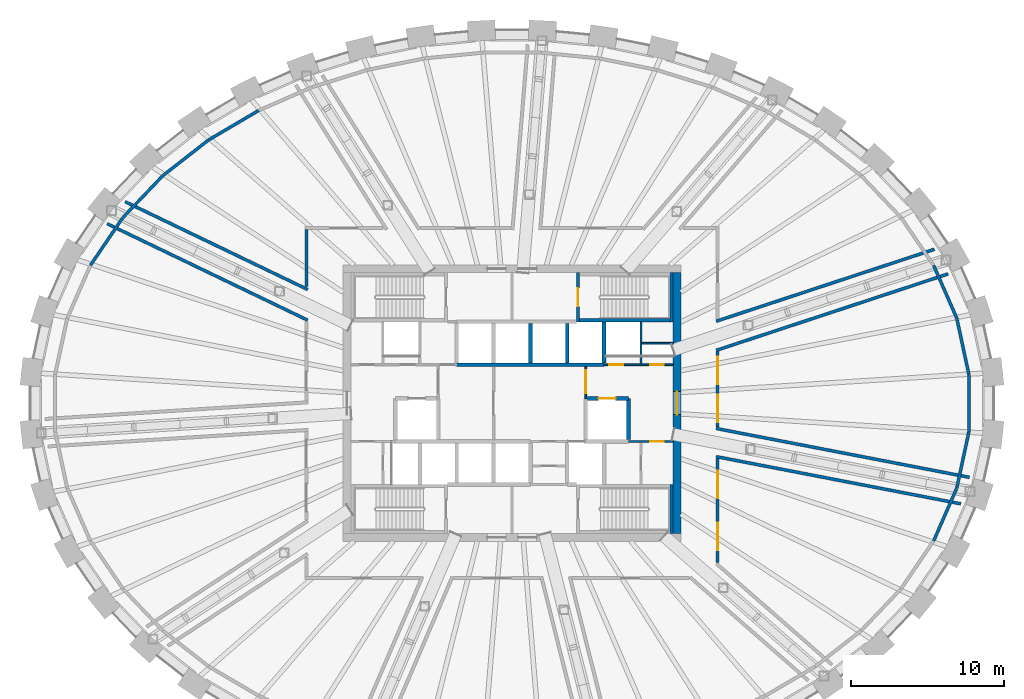
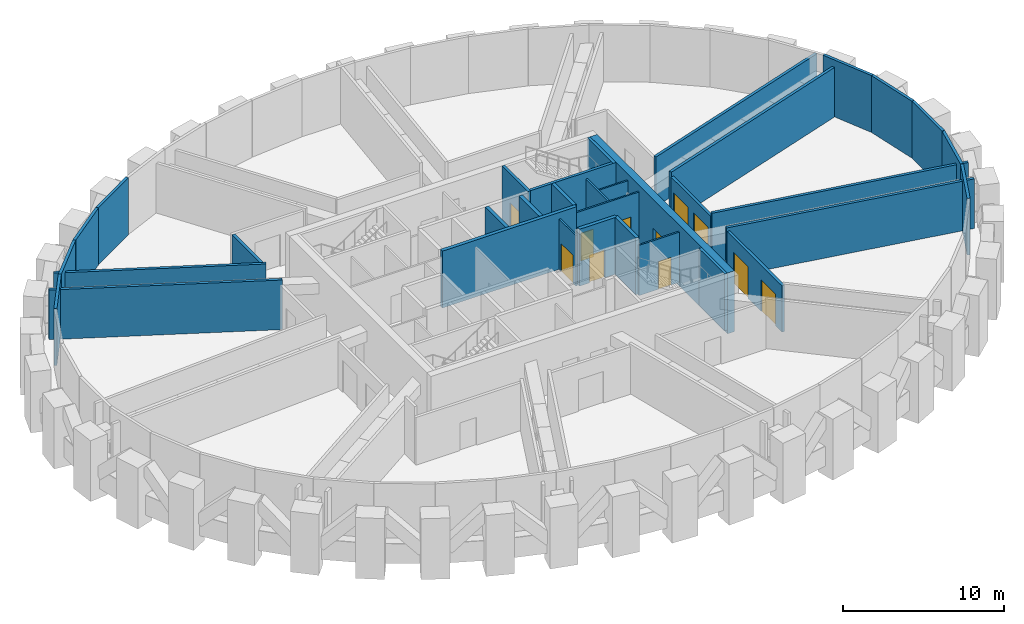
# One storey, part 9 of 12: 34 walls, 11 doors, 11 openings.
"""IFC4 building model written with IfcOpenShell, lengths in metres."""

import ifcopenshell
import ifcopenshell.guid

model = None  # the IFC model being written
_history = None  # IfcOwnerHistory: only IFC2X3 demands one
_inside = {}  # id of a spatial element -> (the spatial element, [elements in it])
_under = {}  # id of a project, library or spatial element -> (it, [spatial elements below it])
_declared = {}  # id of a project -> (the project, [libraries it declares])
_typed = {}  # id of a type object -> (the type object, [elements of that type])
_made_of = {}  # id of a material, layer set ... -> (it, [elements and type objects made of it])


def new_model(schema):
    """Start an empty IFC model of exactly this schema.

    Asked for "IFC4X3", IfcOpenShell would pick the latest addendum, in which some entities
    have other attributes; the version numbers below select the first issue.
    IFC2X3 requires an IfcOwnerHistory on every rooted entity: one is made here for all.
    """
    global model, _history
    if schema == "IFC4X3":
        model = ifcopenshell.file(schema_version=(4, 3, 0, 0))
    else:
        model = ifcopenshell.file(schema=schema)
    _inside.clear()
    _under.clear()
    _declared.clear()
    _typed.clear()
    _made_of.clear()
    _history = None
    if model.schema == "IFC2X3":
        org = make("IfcOrganization", Name="unknown")
        user = make(
            "IfcPersonAndOrganization",
            ThePerson=make("IfcPerson", FamilyName="unknown"),
            TheOrganization=org,
        )
        app = make(
            "IfcApplication",
            ApplicationDeveloper=org,
            Version="unknown",
            ApplicationFullName="unknown",
            ApplicationIdentifier="unknown",
        )
        _history = make(
            "IfcOwnerHistory",
            OwningUser=user,
            OwningApplication=app,
            ChangeAction="ADDED",
            CreationDate=0,
        )
    return model


def make(cls, **values):
    """One entity of the class cls with the attributes given. An attribute that is None is left unset."""
    return model.create_entity(
        cls, **{name: value for name, value in values.items() if value is not None}
    )


def rooted(cls, **values):
    """An entity with a GlobalId (a new one), such as an element, a storey or a relation."""
    return make(cls, GlobalId=ifcopenshell.guid.new(), OwnerHistory=_history, **values)


def si_unit(unit_type, name, prefix=None):
    """IfcSIUnit, for example si_unit("LENGTHUNIT", "METRE", prefix="MILLI")."""
    return make("IfcSIUnit", UnitType=unit_type, Prefix=prefix, Name=name)


def assignment(units):
    """IfcUnitAssignment: the units of a project."""
    return None if units is None else make("IfcUnitAssignment", Units=units)


def point(xyz):
    """IfcCartesianPoint."""
    return None if xyz is None else make("IfcCartesianPoint", Coordinates=xyz)


def direction(xyz):
    """IfcDirection."""
    return None if xyz is None else make("IfcDirection", DirectionRatios=xyz)


def frame(location, z_axis=None, x_axis=None):
    """IfcAxis2Placement3D, a coordinate frame: its origin and axes. An axis left out is left unset."""
    return make(
        "IfcAxis2Placement3D",
        Location=point(location),
        Axis=direction(z_axis),
        RefDirection=direction(x_axis),
    )


def frame_2d(location, x_axis=None):
    """IfcAxis2Placement2D, a coordinate frame in the plane: its origin and x axis."""
    return make(
        "IfcAxis2Placement2D", Location=point(location), RefDirection=direction(x_axis)
    )


def origin():
    """The frame at (0, 0, 0) with its axes left unset."""
    return frame((0.0, 0.0, 0.0))


def place(relative_to, where):
    """IfcLocalPlacement: puts the frame where relative to a parent placement (None: the world)."""
    return make(
        "IfcLocalPlacement", PlacementRelTo=relative_to, RelativePlacement=where
    )


def context(
    kind, dimensions, precision=None, world=None, true_north=None, identifier=None
):
    """IfcGeometricRepresentationContext, for example the 3D "Model" context."""
    return make(
        "IfcGeometricRepresentationContext",
        ContextIdentifier=identifier,
        ContextType=kind,
        CoordinateSpaceDimension=dimensions,
        Precision=precision,
        WorldCoordinateSystem=world,
        TrueNorth=true_north,
    )


def subcontext(parent, identifier, kind, view, scale=None):
    """IfcGeometricRepresentationSubContext, for example "Body" below "Model"."""
    return make(
        "IfcGeometricRepresentationSubContext",
        ContextIdentifier=identifier,
        ContextType=kind,
        ParentContext=parent,
        TargetScale=scale,
        TargetView=view,
    )


def project(units=None, contexts=None):
    """IfcProject with its units and contexts."""
    return rooted(
        "IfcProject",
        Name="project",
        RepresentationContexts=contexts,
        UnitsInContext=assignment(units),
    )


def spatial(cls, under=None, at=None, **own):
    """A site, building, storey or space (cls), placed at a placement, below another one or the project."""
    s = rooted(cls, ObjectPlacement=at, **own)
    if under is not None:
        _under.setdefault(under.id(), (under, []))[1].append(s)
    return s


def profile(cls, at=None, kind="AREA", **sizes):
    """A parametric profile (cls). Its sizes go by their IFC names, for example OverallWidth=200.0."""
    return make(cls, ProfileType=kind, Position=at, **sizes)


def rectangle(**sizes):
    """IfcRectangleProfileDef."""
    return profile("IfcRectangleProfileDef", **sizes)


def extrude(swept, where, along, depth):
    """IfcExtrudedAreaSolid: the profile swept, set in the frame where, extruded along a direction by depth."""
    return make(
        "IfcExtrudedAreaSolid",
        SweptArea=swept,
        Position=where,
        ExtrudedDirection=direction(along),
        Depth=depth,
    )


def shape(context_of_items, identifier, shape_type, items):
    """IfcShapeRepresentation: the items that make up one representation, for example the "Body"."""
    return make(
        "IfcShapeRepresentation",
        ContextOfItems=context_of_items,
        RepresentationIdentifier=identifier,
        RepresentationType=shape_type,
        Items=items,
    )


def source(mapping_origin, context_of_items, identifier, shape_type, items):
    """IfcRepresentationMap: a shape defined once, which mapped items show again and again."""
    return make(
        "IfcRepresentationMap",
        MappingOrigin=mapping_origin,
        MappedRepresentation=shape(context_of_items, identifier, shape_type, items),
    )


def transform(
    local_origin,
    x_axis=None,
    y_axis=None,
    z_axis=None,
    scale=None,
    scale2=None,
    scale3=None,
    uniform=True,
):
    """IfcCartesianTransformationOperator3D, or its non-uniform kind. x_axis, y_axis, z_axis: its Axis1, 2, 3."""
    if uniform:
        return make(
            "IfcCartesianTransformationOperator3D",
            Axis1=direction(x_axis),
            Axis2=direction(y_axis),
            LocalOrigin=point(local_origin),
            Scale=scale,
            Axis3=direction(z_axis),
        )
    return make(
        "IfcCartesianTransformationOperator3DnonUniform",
        Axis1=direction(x_axis),
        Axis2=direction(y_axis),
        LocalOrigin=point(local_origin),
        Scale=scale,
        Axis3=direction(z_axis),
        Scale2=scale2,
        Scale3=scale3,
    )


def mapped(mapping_source, mapping_target):
    """IfcMappedItem: shows the shape of a source again, moved by a transform."""
    return make(
        "IfcMappedItem", MappingSource=mapping_source, MappingTarget=mapping_target
    )


def material(Name=None, Category=None):
    """IfcMaterial."""
    return make("IfcMaterial", Name=Name, Category=Category)


def layer(
    of_material, thickness, ventilated=None, Name=None, Category=None, Priority=None
):
    """IfcMaterialLayer: one layer of a wall or slab, of a material (None: an air gap)."""
    return make(
        "IfcMaterialLayer",
        Material=of_material,
        LayerThickness=thickness,
        IsVentilated=ventilated,
        Name=Name,
        Category=Category,
        Priority=Priority,
    )


def layer_set(layers, Name=None):
    """IfcMaterialLayerSet."""
    return make("IfcMaterialLayerSet", MaterialLayers=layers, LayerSetName=Name)


def made_of(thing, what):
    """Note that an element or type object is made of a material, layer set ...; save() writes the relation."""
    if what is not None:
        _made_of.setdefault(what.id(), (what, []))[1].append(thing)
    return thing


def type_object(cls, material=None, **own):
    """A type object (cls), such as IfcWallType, which elements share."""
    return made_of(rooted(cls, **own), material)


def element(
    cls,
    number,
    at=None,
    inside=None,
    cuts=None,
    type_object=None,
    material=None,
    context=None,
    identifier="Body",
    shape_type=None,
    held_by="IfcProductDefinitionShape",
    body=None,
    shapes=None,
    **own,
):
    """One element of the class cls, such as IfcWall. Its Tag is "e" and its number.

    at: its placement. inside: the storey or other place that contains it. cuts: it is an
    opening in that element (IfcRelVoidsElement). A single representation is given by context,
    identifier, shape_type and body (its items); several are given by shapes. held_by: the class
    of the entity that holds the representations. save() writes the other relations.
    """
    e = rooted(cls, Tag="e%d" % number, ObjectPlacement=at, **own)
    if body is not None:
        shapes = [shape(context, identifier, shape_type, body)]
    if shapes is not None:
        e.Representation = make(held_by, Representations=shapes)
    if inside is not None:
        _inside.setdefault(inside.id(), (inside, []))[1].append(e)
    if cuts is not None:
        rooted(
            "IfcRelVoidsElement", RelatingBuildingElement=cuts, RelatedOpeningElement=e
        )
    if type_object is not None:
        _typed.setdefault(type_object.id(), (type_object, []))[1].append(e)
    return made_of(e, material)


def fill(opening, filler):
    """IfcRelFillsElement: the door or window that sits in an opening."""
    return rooted(
        "IfcRelFillsElement",
        RelatingOpeningElement=opening,
        RelatedBuildingElement=filler,
    )


def aggregate(whole, parts):
    """IfcRelAggregates: a whole, such as a stair, and the parts it consists of."""
    return rooted("IfcRelAggregates", RelatingObject=whole, RelatedObjects=parts)


def save(model, path):
    """Write the relations noted so far, then the file.

    IfcRelAggregates (storeys below a building ...), IfcRelContainedInSpatialStructure (elements
    in a storey), IfcRelDefinesByType, IfcRelAssociatesMaterial and IfcRelDeclares: one each for
    every whole, place, type object, material and project.
    """
    for whole, parts in _under.values():
        aggregate(whole, parts)
    for where, things in _inside.values():
        rooted(
            "IfcRelContainedInSpatialStructure",
            RelatedElements=things,
            RelatingStructure=where,
        )
    for kind, things in _typed.values():
        rooted("IfcRelDefinesByType", RelatedObjects=things, RelatingType=kind)
    for what, things in _made_of.values():
        rooted("IfcRelAssociatesMaterial", RelatedObjects=things, RelatingMaterial=what)
    for by, libraries in _declared.values():
        rooted("IfcRelDeclares", RelatingContext=by, RelatedDefinitions=libraries)
    model.write(path)


model = new_model("IFC4")

# Units and contexts
model_context = context("Model", 3, precision=1e-05, world=origin(), true_north=direction((0.0, 1.0)))
body_context = subcontext(model_context, "Body", "Model", "MODEL_VIEW")
ifc_project = project(units=[si_unit("LENGTHUNIT", "METRE"), si_unit("AREAUNIT", "SQUARE_METRE"), si_unit("VOLUMEUNIT", "CUBIC_METRE"), si_unit("PLANEANGLEUNIT", "RADIAN"), si_unit("MASSUNIT", "GRAM", prefix="KILO")], contexts=[model_context])

# Site, building, storey
site_placement = place(None, origin())
site = spatial("IfcSite", under=ifc_project, at=site_placement, CompositionType="ELEMENT")
building_placement = place(site_placement, origin())
building = spatial("IfcBuilding", under=site, at=building_placement, Name="Embergate Tower", CompositionType="ELEMENT")
storey_placement = place(building_placement, frame((0.0, 0.0, 289.0)))
storey = spatial("IfcBuildingStorey", under=building, at=storey_placement, Name="L67", CompositionType="ELEMENT", Elevation=289.0)

# Wall, opening, door
ifc_material_1 = material(Name="Concrete C50", Category="concrete")
ifc_layer_1 = layer(ifc_material_1, 0.5)
ifc_layer_set_1 = layer_set([ifc_layer_1], Name="Concrete C50")
wall_type_1 = type_object("IfcWallType", Name="Core outer wall C50 500", PredefinedType="SHEAR", material=ifc_layer_set_1)
shared_shape_1 = source(origin(), body_context, "Body", "SweptSolid", [
    extrude(rectangle(XDim=17.0, YDim=0.5, at=frame_2d((8.5, 0.0))), origin(), (0.0, 0.0, 1.0), 4.60009765625),
])
wall_1_placement = place(storey_placement, frame((10.75, -8.5, -0.300048828125), z_axis=(0.0, 0.0, 1.0), x_axis=(0.0, 1.0, 0.0)))
wall_1 = element("IfcWall", 1, at=wall_1_placement, inside=storey, type_object=wall_type_1, Name="CW-L67-E", PredefinedType="SHEAR", context=body_context, shape_type="MappedRepresentation", body=[
    mapped(shared_shape_1, transform((0.0, 0.0, 0.0))),
])
shared_shape_2 = source(origin(), body_context, "Body", "SweptSolid", [
    extrude(rectangle(XDim=1.5, YDim=2.10009765625, at=frame_2d((0.75, 1.050048828125))), frame((0.0, 0.260009765625, 0.0), z_axis=(0.0, -1.0, 0.0), x_axis=(1.0, 0.0, 0.0)), (0.0, 0.0, 1.0), 0.52001953125),
])
opening_1_placement = place(wall_1_placement, frame((7.75, 0.0, 0.300048828125)))
opening_1 = element("IfcOpeningElement", 2, at=opening_1_placement, cuts=wall_1, Name="Opening IF-3", PredefinedType="OPENING", context=body_context, shape_type="MappedRepresentation", body=[
    mapped(shared_shape_2, transform((0.0, 0.0, 0.0))),
])
ifc_material_2 = material(Name="Lobby fire door pair 1500")
door_type_1 = type_object("IfcDoorType", Name="Lobby fire door pair 1500", OperationType="DOUBLE_DOOR_SINGLE_SWING", PredefinedType="DOOR", material=ifc_material_2)
shared_shape_3 = source(origin(), body_context, "Body", "SweptSolid", [
    extrude(rectangle(XDim=1.5, YDim=2.10009765625, at=frame_2d((0.75, 1.050048828125))), frame((0.0, 0.02490234375, 0.0), z_axis=(0.0, -1.0, 0.0), x_axis=(1.0, 0.0, 0.0)), (0.0, 0.0, 1.0), 0.050048828125),
])
door_1_placement = place(opening_1_placement, origin())
door_1 = element("IfcDoor", 3, at=door_1_placement, inside=storey, type_object=door_type_1, Name="IF-3 door", OperationType="DOUBLE_DOOR_SINGLE_SWING", OverallHeight=2.10009765625, OverallWidth=1.5, PredefinedType="DOOR", context=body_context, shape_type="MappedRepresentation", body=[
    mapped(shared_shape_3, transform((0.0, 0.0, 0.0))),
])
fill(opening_1, door_1)

# Walls
ifc_material_3 = material(Name="Terracotta louvre cladding on insulated backing", Category="masonry")
ifc_layer_2 = layer(ifc_material_3, 0.199951171875)
ifc_layer_set_2 = layer_set([ifc_layer_2], Name="Terracotta louvre cladding on insulated backing")
wall_type_2 = type_object("IfcWallType", Name="Terracotta louvre wall", PredefinedType="SOLIDWALL", material=ifc_layer_set_2)
shared_shape_4 = source(origin(), body_context, "Body", "SweptSolid", [
    extrude(rectangle(XDim=3.729248046875, YDim=0.199951171875, at=frame_2d((1.86474609375, 0.0))), origin(), (0.0, 0.0, 1.0), 4.300048828125),
])
for number, where, z_axis, x_axis, name in (
    (4, (28.977783203125, 5.529052734375, 0.0), (0.0, 0.0, 1.0), (0.2104097695, -0.977613281875, 0.0), "Louvre wall 1"),
    (5, (29.762451171875, -1.88330078125, 0.0), (0.0, 0.0, 1.0), (-0.2104097695, -0.977613281875, 0.0), "Louvre wall 43"),
):
    element("IfcWall", number, at=place(storey_placement, frame(where, z_axis=z_axis, x_axis=x_axis)), inside=storey, type_object=wall_type_2, Name=name, PredefinedType="SOLIDWALL", context=body_context, shape_type="MappedRepresentation", body=[
        mapped(shared_shape_4, transform((0.0, 0.0, 0.0))),
    ])
shared_shape_5 = source(origin(), body_context, "Body", "SweptSolid", [
    extrude(rectangle(XDim=3.736328125, YDim=0.199951171875, at=frame_2d((1.8681640625, 0.0))), origin(), (0.0, 0.0, 1.0), 4.300048828125),
])
for number, where, z_axis, x_axis, name in (
    (6, (27.470947265625, 8.9697265625, 0.0), (0.0, 0.0, 1.0), (0.40166534079, -0.915786522072, 0.0), "Louvre wall 2"),
    (7, (28.9716796875, -5.548095703125, 0.0), (0.0, 0.0, 1.0), (-0.40166534079, -0.915786522072, 0.0), "Louvre wall 42"),
):
    element("IfcWall", number, at=place(storey_placement, frame(where, z_axis=z_axis, x_axis=x_axis)), inside=storey, type_object=wall_type_2, Name=name, PredefinedType="SOLIDWALL", context=body_context, shape_type="MappedRepresentation", body=[
        mapped(shared_shape_5, transform((0.0, 0.0, 0.0))),
    ])
shared_shape_6 = source(origin(), body_context, "Body", "SweptSolid", [
    extrude(rectangle(XDim=3.7451171875, YDim=0.199951171875, at=frame_2d((1.87255859375, 0.0))), origin(), (0.0, 0.0, 1.0), 4.300048828125),
])
wall_2_placement = place(storey_placement, frame((-27.46142578125, 8.987060546875, 0.0), z_axis=(0.0, 0.0, 1.0), x_axis=(0.562318936697, 0.826920439602, 0.0)))
element("IfcWall", 8, at=wall_2_placement, inside=storey, type_object=wall_type_2, Name="Louvre wall 19", PredefinedType="SOLIDWALL", context=body_context, shape_type="MappedRepresentation", body=[
    mapped(shared_shape_6, transform((0.0, 0.0, 0.0))),
])
shared_shape_7 = source(origin(), body_context, "Body", "SweptSolid", [
    extrude(rectangle(XDim=3.75390625, YDim=0.199951171875, at=frame_2d((1.876953125, 0.0))), origin(), (0.0, 0.0, 1.0), 4.300048828125),
])
wall_3_placement = place(storey_placement, frame((-25.343017578125, 12.099365234375, 0.0), z_axis=(0.0, 0.0, 1.0), x_axis=(0.690161680949, 0.723655203913, 0.0)))
element("IfcWall", 9, at=wall_3_placement, inside=storey, type_object=wall_type_2, Name="Louvre wall 18", PredefinedType="SOLIDWALL", context=body_context, shape_type="MappedRepresentation", body=[
    mapped(shared_shape_7, transform((0.0, 0.0, 0.0))),
])
shared_shape_8 = source(origin(), body_context, "Body", "SweptSolid", [
    extrude(rectangle(XDim=3.760986328125, YDim=0.199951171875, at=frame_2d((1.88037109375, 0.0))), origin(), (0.0, 0.0, 1.0), 4.300048828125),
])
wall_4_placement = place(storey_placement, frame((-22.737548828125, 14.8291015625, 0.0), z_axis=(0.0, 0.0, 1.0), x_axis=(0.788291977809, 0.615301355209, 0.0)))
element("IfcWall", 10, at=wall_4_placement, inside=storey, type_object=wall_type_2, Name="Louvre wall 17", PredefinedType="SOLIDWALL", context=body_context, shape_type="MappedRepresentation", body=[
    mapped(shared_shape_8, transform((0.0, 0.0, 0.0))),
])
shared_shape_9 = source(origin(), body_context, "Body", "SweptSolid", [
    extrude(rectangle(XDim=3.76708984375, YDim=0.199951171875, at=frame_2d((1.883544921875, 0.0))), origin(), (0.0, 0.0, 1.0), 4.300048828125),
])
wall_5_placement = place(storey_placement, frame((-19.756103515625, 17.154541015625, 0.0), z_axis=(0.0, 0.0, 1.0), x_axis=(0.86206746529, 0.506793533195, 0.0)))
element("IfcWall", 11, at=wall_5_placement, inside=storey, type_object=wall_type_2, Name="Louvre wall 16", PredefinedType="SOLIDWALL", context=body_context, shape_type="MappedRepresentation", body=[
    mapped(shared_shape_9, transform((0.0, 0.0, 0.0))),
])
shared_shape_10 = source(origin(), body_context, "Body", "SweptSolid", [
    extrude(rectangle(XDim=3.7265625, YDim=0.199951171875, at=frame_2d((1.86328125, 0.0))), origin(), (0.0, 0.0, 1.0), 4.300048828125),
])
wall_6_placement = place(storey_placement, frame((29.7646484375, 1.86328125, 0.0), z_axis=(0.0, 0.0, 1.0), x_axis=(0.0, -1.0, 0.0)))
element("IfcWall", 12, at=wall_6_placement, inside=storey, type_object=wall_type_2, Name="Louvre wall 44", PredefinedType="SOLIDWALL", context=body_context, shape_type="MappedRepresentation", body=[
    mapped(shared_shape_10, transform((0.0, 0.0, 0.0))),
])
ifc_layer_3 = layer(ifc_material_1, 0.25)
ifc_layer_set_3 = layer_set([ifc_layer_3], Name="Concrete C50")
wall_type_3 = type_object("IfcWallType", Name="Hoistway wall reinforced concrete 250", PredefinedType="SHEAR", material=ifc_layer_set_3)
shared_shape_11 = source(origin(), body_context, "Body", "SweptSolid", [
    extrude(rectangle(XDim=2.675048828125, YDim=0.25, at=frame_2d((1.33740234375, 0.0))), origin(), (0.0, 0.0, 1.0), 4.300048828125),
])
wall_7_placement = place(storey_placement, frame((6.0, 2.625, 0.0), z_axis=(0.0, 0.0, 1.0), x_axis=(0.0, 1.0, 0.0)))
element("IfcWall", 13, at=wall_7_placement, inside=storey, type_object=wall_type_3, Name="HW-1 wall", PredefinedType="SHEAR", context=body_context, shape_type="MappedRepresentation", body=[
    mapped(shared_shape_11, transform((0.0, 0.0, 0.0))),
])

# Wall, opening, door
wall_8_placement = place(storey_placement, frame((7.60009765625, 0.300048828125, 0.0), z_axis=(0.0, 0.0, 1.0), x_axis=(-1.0, 0.0, 0.0)))
wall_8 = element("IfcWall", 14, at=wall_8_placement, inside=storey, type_object=wall_type_3, Name="HW-1 wall", PredefinedType="SHEAR", context=body_context, shape_type="MappedRepresentation", body=[
    mapped(shared_shape_11, transform((0.0, 0.0, 0.0))),
])
shared_shape_12 = source(origin(), body_context, "Body", "SweptSolid", [
    extrude(rectangle(XDim=1.10009765625, YDim=2.10009765625, at=frame_2d((0.550048828125, 1.050048828125))), frame((0.0, 0.135009765625, 0.0), z_axis=(0.0, -1.0, 0.0), x_axis=(1.0, 0.0, 0.0)), (0.0, 0.0, 1.0), 0.27001953125),
])
opening_2_placement = place(wall_8_placement, frame((0.85009765625, 0.0, 0.0)))
opening_2 = element("IfcOpeningElement", 15, at=opening_2_placement, cuts=wall_8, Name="Opening LD", PredefinedType="OPENING", context=body_context, shape_type="MappedRepresentation", body=[
    mapped(shared_shape_12, transform((0.0, 0.0, 0.0))),
])
ifc_material_4 = material(Name="Landing door sliding 1100")
door_type_2 = type_object("IfcDoorType", Name="Landing door sliding 1100", OperationType="SLIDING_TO_LEFT", PredefinedType="DOOR", material=ifc_material_4)
shared_shape_13 = source(origin(), body_context, "Body", "SweptSolid", [
    extrude(rectangle(XDim=1.10009765625, YDim=2.10009765625, at=frame_2d((0.550048828125, 1.050048828125))), frame((0.0, 0.02490234375, 0.0), z_axis=(0.0, -1.0, 0.0), x_axis=(1.0, 0.0, 0.0)), (0.0, 0.0, 1.0), 0.050048828125),
])
door_2_placement = place(opening_2_placement, origin())
door_2 = element("IfcDoor", 16, at=door_2_placement, inside=storey, type_object=door_type_2, Name="LD door", OperationType="SLIDING_TO_LEFT", OverallHeight=2.10009765625, OverallWidth=1.10009765625, PredefinedType="DOOR", context=body_context, shape_type="MappedRepresentation", body=[
    mapped(shared_shape_13, transform((0.0, 0.0, 0.0))),
])
fill(opening_2, door_2)

# Walls
wall_9_placement = place(storey_placement, frame((7.60009765625, -2.375, 0.0), z_axis=(0.0, 0.0, 1.0), x_axis=(0.0, 1.0, 0.0)))
element("IfcWall", 17, at=wall_9_placement, inside=storey, type_object=wall_type_3, Name="HW-1 wall", PredefinedType="SHEAR", context=body_context, shape_type="MappedRepresentation", body=[
    mapped(shared_shape_11, transform((0.0, 0.0, 0.0))),
])
ifc_layer_4 = layer(ifc_material_1, 0.199951171875)
ifc_layer_set_4 = layer_set([ifc_layer_4], Name="Concrete C50")
wall_type_4 = type_object("IfcWallType", Name="Stair enclosure wall reinforced concrete 250", PredefinedType="SHEAR", material=ifc_layer_set_4)
shared_shape_14 = source(origin(), body_context, "Body", "SweptSolid", [
    extrude(rectangle(XDim=6.300048828125, YDim=0.199951171875, at=frame_2d((3.14990234375, 0.0))), origin(), (0.0, 0.0, 1.0), 4.300048828125),
])
wall_10_placement = place(storey_placement, frame((10.5, 5.39990234375, 0.0), z_axis=(0.0, 0.0, 1.0), x_axis=(-1.0, 0.0, 0.0)))
element("IfcWall", 18, at=wall_10_placement, inside=storey, type_object=wall_type_4, Name="SE-1 wall", PredefinedType="SHEAR", context=body_context, shape_type="MappedRepresentation", body=[
    mapped(shared_shape_14, transform((0.0, 0.0, 0.0))),
])
shared_shape_15 = source(origin(), body_context, "Body", "SweptSolid", [
    extrude(rectangle(XDim=2.550048828125, YDim=0.25, at=frame_2d((1.27490234375, 0.0))), origin(), (0.0, 0.0, 1.0), 4.300048828125),
])
for number, where, z_axis, x_axis, name in (
    (19, (1.199951171875, 2.625, 0.0), (0.0, 0.0, 1.0), (0.0, 1.0, 0.0), "HW-1 wall"),
    (20, (3.60009765625, 2.625, 0.0), (0.0, 0.0, 1.0), (0.0, 1.0, 0.0), "HW-1 wall"),
):
    element("IfcWall", number, at=place(storey_placement, frame(where, z_axis=z_axis, x_axis=x_axis)), inside=storey, type_object=wall_type_3, Name=name, PredefinedType="SHEAR", context=body_context, shape_type="MappedRepresentation", body=[
        mapped(shared_shape_15, transform((0.0, 0.0, 0.0))),
    ])

# Wall, opening, door
shared_shape_16 = source(origin(), body_context, "Body", "SweptSolid", [
    extrude(rectangle(XDim=3.199951171875, YDim=0.199951171875, at=frame_2d((1.60009765625, 0.0))), origin(), (0.0, 0.0, 1.0), 4.300048828125),
])
wall_11_placement = place(storey_placement, frame((4.300048828125, 8.5, 0.0), z_axis=(0.0, 0.0, 1.0), x_axis=(0.0, -1.0, 0.0)))
wall_11 = element("IfcWall", 21, at=wall_11_placement, inside=storey, type_object=wall_type_4, Name="SE-1 wall", PredefinedType="SHEAR", context=body_context, shape_type="MappedRepresentation", body=[
    mapped(shared_shape_16, transform((0.0, 0.0, 0.0))),
])
shared_shape_17 = source(origin(), body_context, "Body", "SweptSolid", [
    extrude(rectangle(XDim=1.199951171875, YDim=2.10009765625, at=frame_2d((0.60009765625, 1.050048828125))), frame((0.0, 0.10986328125, 0.0), z_axis=(0.0, -1.0, 0.0), x_axis=(1.0, 0.0, 0.0)), (0.0, 0.0, 1.0), 0.219970703125),
])
opening_3_placement = place(wall_11_placement, frame((1.0, 0.0, 0.0)))
opening_3 = element("IfcOpeningElement", 22, at=opening_3_placement, cuts=wall_11, Name="Opening IF-2", PredefinedType="OPENING", context=body_context, shape_type="MappedRepresentation", body=[
    mapped(shared_shape_17, transform((0.0, 0.0, 0.0))),
])
ifc_material_5 = material(Name="Stair enclosure door 1200")
door_type_3 = type_object("IfcDoorType", Name="Stair enclosure door 1200", OperationType="SINGLE_SWING_LEFT", PredefinedType="DOOR", material=ifc_material_5)
shared_shape_18 = source(origin(), body_context, "Body", "SweptSolid", [
    extrude(rectangle(XDim=1.199951171875, YDim=2.10009765625, at=frame_2d((0.60009765625, 1.050048828125))), frame((0.0, 0.02490234375, 0.0), z_axis=(0.0, -1.0, 0.0), x_axis=(1.0, 0.0, 0.0)), (0.0, 0.0, 1.0), 0.050048828125),
])
door_3_placement = place(opening_3_placement, origin())
door_3 = element("IfcDoor", 23, at=door_3_placement, inside=storey, type_object=door_type_3, Name="IF-2 door", OperationType="SINGLE_SWING_RIGHT", OverallHeight=2.10009765625, OverallWidth=1.199951171875, PredefinedType="DOOR", context=body_context, shape_type="MappedRepresentation", body=[
    mapped(shared_shape_18, transform((0.0, 0.0, 0.0))),
])
fill(opening_3, door_3)

# Wall
wall_12_placement = place(storey_placement, frame((10.39990234375, 5.300048828125, 0.0), z_axis=(0.0, 0.0, 1.0), x_axis=(0.0, 1.0, 0.0)))
element("IfcWall", 24, at=wall_12_placement, inside=storey, type_object=wall_type_4, Name="SE-1 wall", PredefinedType="SHEAR", context=body_context, shape_type="MappedRepresentation", body=[
    mapped(shared_shape_16, transform((0.0, 0.0, 0.0))),
])

# Wall, opening, door
ifc_material_6 = material(Name="Core partition blockwork 120")
ifc_layer_5 = layer(ifc_material_6, 0.1201171875)
ifc_layer_set_5 = layer_set([ifc_layer_5], Name="Core partition blockwork 120")
wall_type_5 = type_object("IfcWallType", Name="Core partition blockwork 120", PredefinedType="PARTITIONING", material=ifc_layer_set_5)
shared_shape_19 = source(origin(), body_context, "Body", "SweptSolid", [
    extrude(rectangle(XDim=2.074951171875, YDim=0.1201171875, at=frame_2d((1.03759765625, 0.0))), origin(), (0.0, 0.0, 1.0), 3.800048828125),
])
wall_13_placement = place(storey_placement, frame((4.800048828125, 0.300048828125, 0.0), z_axis=(0.0, 0.0, 1.0), x_axis=(0.0, 1.0, 0.0)))
wall_13 = element("IfcWall", 25, at=wall_13_placement, inside=storey, type_object=wall_type_5, Name="IP-3 wall", PredefinedType="PARTITIONING", context=body_context, shape_type="MappedRepresentation", body=[
    mapped(shared_shape_19, transform((0.0, 0.0, 0.0))),
])
shared_shape_20 = source(origin(), body_context, "Body", "SweptSolid", [
    extrude(rectangle(XDim=1.5, YDim=2.10009765625, at=frame_2d((0.75, 1.050048828125))), frame((0.0, 0.070068359375, 0.0), z_axis=(0.0, -1.0, 0.0), x_axis=(1.0, 0.0, 0.0)), (0.0, 0.0, 1.0), 0.14013671875),
])
opening_4_placement = place(wall_13_placement, frame((0.35009765625, 0.0, 0.0)))
opening_4 = element("IfcOpeningElement", 26, at=opening_4_placement, cuts=wall_13, Name="Opening IF-3", PredefinedType="OPENING", context=body_context, shape_type="MappedRepresentation", body=[
    mapped(shared_shape_20, transform((0.0, 0.0, 0.0))),
])
door_4_placement = place(opening_4_placement, origin())
door_4 = element("IfcDoor", 27, at=door_4_placement, inside=storey, type_object=door_type_1, Name="IF-3 door", OperationType="DOUBLE_DOOR_SINGLE_SWING", OverallHeight=2.10009765625, OverallWidth=1.5, PredefinedType="DOOR", context=body_context, shape_type="MappedRepresentation", body=[
    mapped(shared_shape_3, transform((0.0, 0.0, 0.0))),
])
fill(opening_4, door_4)

# Wall
shared_shape_21 = source(origin(), body_context, "Body", "SweptSolid", [
    extrude(rectangle(XDim=9.60009765625, YDim=0.25, at=frame_2d((4.800048828125, 0.0))), origin(), (0.0, 0.0, 1.0), 4.300048828125),
])
wall_14_placement = place(storey_placement, frame((-3.60009765625, 2.5, 0.0), z_axis=(0.0, 0.0, 1.0), x_axis=(1.0, 0.0, 0.0)))
element("IfcWall", 28, at=wall_14_placement, inside=storey, type_object=wall_type_3, Name="HW-1 wall", PredefinedType="SHEAR", context=body_context, shape_type="MappedRepresentation", body=[
    mapped(shared_shape_21, transform((0.0, 0.0, 0.0))),
])

# Wall, openings, doors
shared_shape_22 = source(origin(), body_context, "Body", "SweptSolid", [
    extrude(rectangle(XDim=4.5, YDim=0.1201171875, at=frame_2d((2.25, 0.0))), origin(), (0.0, 0.0, 1.0), 3.800048828125),
])
wall_15_placement = place(storey_placement, frame((6.0, 2.5, 0.0), z_axis=(0.0, 0.0, 1.0), x_axis=(1.0, 0.0, 0.0)))
wall_15 = element("IfcWall", 29, at=wall_15_placement, inside=storey, type_object=wall_type_5, Name="IP-3 wall", PredefinedType="PARTITIONING", context=body_context, shape_type="MappedRepresentation", body=[
    mapped(shared_shape_22, transform((0.0, 0.0, 0.0))),
])
shared_shape_23 = source(origin(), body_context, "Body", "SweptSolid", [
    extrude(rectangle(XDim=0.89990234375, YDim=2.10009765625, at=frame_2d((0.449951171875, 1.050048828125))), frame((0.0, 0.070068359375, 0.0), z_axis=(0.0, -1.0, 0.0), x_axis=(1.0, 0.0, 0.0)), (0.0, 0.0, 1.0), 0.14013671875),
])
opening_5_placement = place(wall_15_placement, frame((0.35009765625, 0.0, 0.0)))
opening_5 = element("IfcOpeningElement", 30, at=opening_5_placement, cuts=wall_15, Name="Opening ID-1", PredefinedType="OPENING", context=body_context, shape_type="MappedRepresentation", body=[
    mapped(shared_shape_23, transform((0.0, 0.0, 0.0))),
])
opening_6_placement = place(wall_15_placement, frame((3.0, 0.0, 0.0)))
opening_6 = element("IfcOpeningElement", 31, at=opening_6_placement, cuts=wall_15, Name="Opening ID-1", PredefinedType="OPENING", context=body_context, shape_type="MappedRepresentation", body=[
    mapped(shared_shape_23, transform((0.0, 0.0, 0.0))),
])
ifc_material_7 = material(Name="Interior door 900")
door_type_4 = type_object("IfcDoorType", Name="Interior door 900", OperationType="SINGLE_SWING_LEFT", PredefinedType="DOOR", material=ifc_material_7)
shared_shape_24 = source(origin(), body_context, "Body", "SweptSolid", [
    extrude(rectangle(XDim=0.89990234375, YDim=2.10009765625, at=frame_2d((0.449951171875, 1.050048828125))), frame((0.0, 0.02490234375, 0.0), z_axis=(0.0, -1.0, 0.0), x_axis=(1.0, 0.0, 0.0)), (0.0, 0.0, 1.0), 0.050048828125),
])
door_5_placement = place(opening_5_placement, origin())
door_5 = element("IfcDoor", 32, at=door_5_placement, inside=storey, type_object=door_type_4, Name="ID-1 door", OperationType="SINGLE_SWING_LEFT", OverallHeight=2.10009765625, OverallWidth=0.89990234375, PredefinedType="DOOR", context=body_context, shape_type="MappedRepresentation", body=[
    mapped(shared_shape_24, transform((0.0, 0.0, 0.0))),
])
fill(opening_5, door_5)
door_6_placement = place(opening_6_placement, origin())
door_6 = element("IfcDoor", 33, at=door_6_placement, inside=storey, type_object=door_type_4, Name="ID-1 door", OperationType="SINGLE_SWING_RIGHT", OverallHeight=2.10009765625, OverallWidth=0.89990234375, PredefinedType="DOOR", context=body_context, shape_type="MappedRepresentation", body=[
    mapped(shared_shape_24, transform((0.0, 0.0, 0.0))),
])
fill(opening_6, door_6)

# Wall
shared_shape_25 = source(origin(), body_context, "Body", "SweptSolid", [
    extrude(rectangle(XDim=2.738037109375, YDim=0.1201171875, at=frame_2d((1.369140625, 0.0))), origin(), (0.0, 0.0, 1.0), 3.800048828125),
])
wall_16_placement = place(storey_placement, frame((8.39990234375, 2.56005859375, 0.0), z_axis=(0.0, 0.0, 1.0), x_axis=(0.0, 1.0, 0.0)))
element("IfcWall", 34, at=wall_16_placement, inside=storey, type_object=wall_type_5, Name="IP-3 wall", PredefinedType="PARTITIONING", context=body_context, shape_type="MappedRepresentation", body=[
    mapped(shared_shape_25, transform((0.0, 0.0, 0.0))),
])

# Wall, opening, door
shared_shape_26 = source(origin(), body_context, "Body", "SweptSolid", [
    extrude(rectangle(XDim=2.89990234375, YDim=0.1201171875, at=frame_2d((1.449951171875, 0.0))), origin(), (0.0, 0.0, 1.0), 3.800048828125),
])
wall_17_placement = place(storey_placement, frame((10.5, -2.5, 0.0), z_axis=(0.0, 0.0, 1.0), x_axis=(-1.0, 0.0, 0.0)))
wall_17 = element("IfcWall", 35, at=wall_17_placement, inside=storey, type_object=wall_type_5, Name="IP-3 wall", PredefinedType="PARTITIONING", context=body_context, shape_type="MappedRepresentation", body=[
    mapped(shared_shape_26, transform((0.0, 0.0, 0.0))),
])
opening_7_placement = place(wall_17_placement, frame((0.60009765625, 0.0, 0.0)))
opening_7 = element("IfcOpeningElement", 36, at=opening_7_placement, cuts=wall_17, Name="Opening ID-1", PredefinedType="OPENING", context=body_context, shape_type="MappedRepresentation", body=[
    mapped(shared_shape_23, transform((0.0, 0.0, 0.0))),
])
door_7_placement = place(opening_7_placement, origin())
door_7 = element("IfcDoor", 37, at=door_7_placement, inside=storey, type_object=door_type_4, Name="ID-1 door", OperationType="SINGLE_SWING_RIGHT", OverallHeight=2.10009765625, OverallWidth=0.89990234375, PredefinedType="DOOR", context=body_context, shape_type="MappedRepresentation", body=[
    mapped(shared_shape_24, transform((0.0, 0.0, 0.0))),
])
fill(opening_7, door_7)

# Walls
shared_shape_27 = source(origin(), body_context, "Body", "SweptSolid", [
    extrude(rectangle(XDim=3.197998046875, YDim=0.199951171875, at=frame_2d((1.59912109375, 0.0))), origin(), (0.0, 0.0, 1.0), 4.300048828125),
])
wall_18_placement = place(storey_placement, frame((10.39990234375, -8.5, 0.0), z_axis=(0.0, 0.0, 1.0), x_axis=(0.0, 1.0, 0.0)))
element("IfcWall", 38, at=wall_18_placement, inside=storey, type_object=wall_type_4, Name="SE-1 wall", PredefinedType="SHEAR", context=body_context, shape_type="MappedRepresentation", body=[
    mapped(shared_shape_27, transform((0.0, 0.0, 0.0))),
])
shared_shape_28 = source(origin(), body_context, "Body", "SweptSolid", [
    extrude(rectangle(XDim=2.0380859375, YDim=0.1201171875, at=frame_2d((1.01904296875, 0.0))), origin(), (0.0, 0.0, 1.0), 3.800048828125),
])
wall_19_placement = place(storey_placement, frame((10.5, 3.89990234375, 0.0), z_axis=(0.0, 0.0, 1.0), x_axis=(-1.0, 0.0, 0.0)))
element("IfcWall", 39, at=wall_19_placement, inside=storey, type_object=wall_type_5, Name="IP-3 wall", PredefinedType="PARTITIONING", context=body_context, shape_type="MappedRepresentation", body=[
    mapped(shared_shape_28, transform((0.0, 0.0, 0.0))),
])
ifc_material_8 = material(Name="Blockwork, plastered", Category="masonry")
ifc_layer_6 = layer(ifc_material_8, 0.199951171875)
ifc_layer_set_6 = layer_set([ifc_layer_6], Name="Blockwork, plastered")
wall_type_6 = type_object("IfcWallType", Name="Fire partition wall 200 block", PredefinedType="PARTITIONING", material=ifc_layer_set_6)
shared_shape_29 = source(origin(), body_context, "Body", "SweptSolid", [
    extrude(rectangle(XDim=14.49365234375, YDim=0.199951171875, at=frame_2d((7.246826171875, 0.0))), origin(), (0.0, 0.0, 1.0), 3.75),
])
wall_20_placement = place(storey_placement, frame((-26.37109375, 11.68798828125, 0.0), z_axis=(0.0, 0.0, 1.0), x_axis=(0.901154997283, -0.433497025217, 0.0)))
element("IfcWall", 40, at=wall_20_placement, inside=storey, type_object=wall_type_6, Name="Partition 002", PredefinedType="PARTITIONING", context=body_context, shape_type="MappedRepresentation", body=[
    mapped(shared_shape_29, transform((0.0, 0.0, 0.0))),
])
shared_shape_30 = source(origin(), body_context, "Body", "SweptSolid", [
    extrude(rectangle(XDim=13.195068359375, YDim=0.199951171875, at=frame_2d((6.59765625, 0.0))), origin(), (0.0, 0.0, 1.0), 3.75),
])
wall_21_placement = place(storey_placement, frame((-13.31005859375, 7.402099609375, 0.0), z_axis=(0.0, 0.0, 1.0), x_axis=(-0.901157501191, 0.433491820047, 0.0)))
element("IfcWall", 41, at=wall_21_placement, inside=storey, type_object=wall_type_6, Name="Partition 010", PredefinedType="PARTITIONING", context=body_context, shape_type="MappedRepresentation", body=[
    mapped(shared_shape_30, transform((0.0, 0.0, 0.0))),
])
shared_shape_31 = source(origin(), body_context, "Body", "SweptSolid", [
    extrude(rectangle(XDim=3.715087890625, YDim=0.199951171875, at=frame_2d((1.857421875, 0.0))), origin(), (0.0, 0.0, 1.0), 3.60009765625),
])
wall_22_placement = place(storey_placement, frame((-13.39990234375, 7.5849609375, 0.0), z_axis=(0.0, 0.0, 1.0), x_axis=(0.0, 1.0, 0.0)))
element("IfcWall", 42, at=wall_22_placement, inside=storey, type_object=wall_type_6, Name="Partition 011", PredefinedType="PARTITIONING", context=body_context, shape_type="MappedRepresentation", body=[
    mapped(shared_shape_31, transform((0.0, 0.0, 0.0))),
])

# Wall, openings, doors
shared_shape_32 = source(origin(), body_context, "Body", "SweptSolid", [
    extrude(rectangle(XDim=6.781005859375, YDim=0.199951171875, at=frame_2d((3.390625, 0.0))), origin(), (0.0, 0.0, 1.0), 3.5),
])
wall_23_placement = place(storey_placement, frame((13.39990234375, -3.612060546875, 0.0), z_axis=(0.0, 0.0, 1.0), x_axis=(0.0, -1.0, 0.0)))
wall_23 = element("IfcWall", 43, at=wall_23_placement, inside=storey, type_object=wall_type_6, Name="Partition 028", PredefinedType="PARTITIONING", context=body_context, shape_type="MappedRepresentation", body=[
    mapped(shared_shape_32, transform((0.0, 0.0, 0.0))),
])
shared_shape_33 = source(origin(), body_context, "Body", "SweptSolid", [
    extrude(rectangle(XDim=1.800048828125, YDim=2.39990234375, at=frame_2d((0.89990234375, 1.199951171875))), frame((0.0, 0.10986328125, 0.0), z_axis=(0.0, -1.0, 0.0), x_axis=(1.0, 0.0, 0.0)), (0.0, 0.0, 1.0), 0.219970703125),
])
opening_8_placement = place(wall_23_placement, frame((0.794921875, 0.0, 0.0)))
opening_8 = element("IfcOpeningElement", 44, at=opening_8_placement, cuts=wall_23, Name="Opening DS-256", PredefinedType="OPENING", context=body_context, shape_type="MappedRepresentation", body=[
    mapped(shared_shape_33, transform((0.0, 0.0, 0.0))),
])
opening_9_placement = place(wall_23_placement, frame((4.18603515625, 0.0, 0.0)))
opening_9 = element("IfcOpeningElement", 45, at=opening_9_placement, cuts=wall_23, Name="Opening DS-257", PredefinedType="OPENING", context=body_context, shape_type="MappedRepresentation", body=[
    mapped(shared_shape_33, transform((0.0, 0.0, 0.0))),
])
ifc_material_9 = material(Name="Timber door leaf, steel frame", Category="steel")
door_type_5 = type_object("IfcDoorType", Name="Double door 1800x2400", OperationType="DOUBLE_DOOR_SINGLE_SWING", PredefinedType="DOOR", material=ifc_material_9)
shared_shape_34 = source(origin(), body_context, "Body", "SweptSolid", [
    extrude(rectangle(XDim=1.800048828125, YDim=2.39990234375, at=frame_2d((0.89990234375, 1.199951171875))), frame((0.0, 0.02490234375, 0.0), z_axis=(0.0, -1.0, 0.0), x_axis=(1.0, 0.0, 0.0)), (0.0, 0.0, 1.0), 0.050048828125),
])
door_8_placement = place(opening_8_placement, origin())
door_8 = element("IfcDoor", 46, at=door_8_placement, inside=storey, type_object=door_type_5, Name="Door to Refuge area", OperationType="SINGLE_SWING_LEFT", OverallHeight=2.39990234375, OverallWidth=1.800048828125, PredefinedType="DOOR", context=body_context, shape_type="MappedRepresentation", body=[
    mapped(shared_shape_34, transform((0.0, 0.0, 0.0))),
])
fill(opening_8, door_8)
door_9_placement = place(opening_9_placement, origin())
door_9 = element("IfcDoor", 47, at=door_9_placement, inside=storey, type_object=door_type_5, Name="Door to Refuge area", OperationType="SINGLE_SWING_LEFT", OverallHeight=2.39990234375, OverallWidth=1.800048828125, PredefinedType="DOOR", context=body_context, shape_type="MappedRepresentation", body=[
    mapped(shared_shape_34, transform((0.0, 0.0, 0.0))),
])
fill(opening_9, door_9)

# Wall
shared_shape_35 = source(origin(), body_context, "Body", "SweptSolid", [
    extrude(rectangle(XDim=16.227783203125, YDim=0.199951171875, at=frame_2d((8.11376953125, 0.0))), origin(), (0.0, 0.0, 1.0), 3.75),
])
wall_24_placement = place(storey_placement, frame((13.302001953125, -3.48291015625, 0.0), z_axis=(0.0, 0.0, 1.0), x_axis=(0.981906297539, -0.189367428173, 0.0)))
element("IfcWall", 48, at=wall_24_placement, inside=storey, type_object=wall_type_6, Name="Partition 029", PredefinedType="PARTITIONING", context=body_context, shape_type="MappedRepresentation", body=[
    mapped(shared_shape_35, transform((0.0, 0.0, 0.0))),
])

# Wall, openings, doors
shared_shape_36 = source(origin(), body_context, "Body", "SweptSolid", [
    extrude(rectangle(XDim=4.92919921875, YDim=0.199951171875, at=frame_2d((2.464599609375, 0.0))), origin(), (0.0, 0.0, 1.0), 3.39990234375),
])
wall_25_placement = place(storey_placement, frame((13.39990234375, 3.361083984375, 0.0), z_axis=(0.0, 0.0, 1.0), x_axis=(0.0, -1.0, 0.0)))
wall_25 = element("IfcWall", 49, at=wall_25_placement, inside=storey, type_object=wall_type_6, Name="Partition 030", PredefinedType="PARTITIONING", context=body_context, shape_type="MappedRepresentation", body=[
    mapped(shared_shape_36, transform((0.0, 0.0, 0.0))),
])
opening_10_placement = place(wall_25_placement, frame((0.33203125, 0.0, 0.0)))
opening_10 = element("IfcOpeningElement", 50, at=opening_10_placement, cuts=wall_25, Name="Opening DS-243", PredefinedType="OPENING", context=body_context, shape_type="MappedRepresentation", body=[
    mapped(shared_shape_33, transform((0.0, 0.0, 0.0))),
])
opening_11_placement = place(wall_25_placement, frame((2.797119140625, 0.0, 0.0)))
opening_11 = element("IfcOpeningElement", 51, at=opening_11_placement, cuts=wall_25, Name="Opening DS-244", PredefinedType="OPENING", context=body_context, shape_type="MappedRepresentation", body=[
    mapped(shared_shape_33, transform((0.0, 0.0, 0.0))),
])
door_10_placement = place(opening_10_placement, origin())
door_10 = element("IfcDoor", 52, at=door_10_placement, inside=storey, type_object=door_type_5, Name="Door to Refuge area", OperationType="SINGLE_SWING_LEFT", OverallHeight=2.39990234375, OverallWidth=1.800048828125, PredefinedType="DOOR", context=body_context, shape_type="MappedRepresentation", body=[
    mapped(shared_shape_34, transform((0.0, 0.0, 0.0))),
])
fill(opening_10, door_10)
door_11_placement = place(opening_11_placement, origin())
door_11 = element("IfcDoor", 53, at=door_11_placement, inside=storey, type_object=door_type_5, Name="Door to Refuge area", OperationType="SINGLE_SWING_LEFT", OverallHeight=2.39990234375, OverallWidth=1.800048828125, PredefinedType="DOOR", context=body_context, shape_type="MappedRepresentation", body=[
    mapped(shared_shape_34, transform((0.0, 0.0, 0.0))),
])
fill(opening_11, door_11)

# Walls
shared_shape_37 = source(origin(), body_context, "Body", "SweptSolid", [
    extrude(rectangle(XDim=15.905029296875, YDim=0.199951171875, at=frame_2d((7.95263671875, 0.0))), origin(), (0.0, 0.0, 1.0), 3.75),
])
wall_26_placement = place(storey_placement, frame((13.304931640625, 3.43994140625, 0.0), z_axis=(0.0, 0.0, 1.0), x_axis=(0.949697603008, 0.313168425676, 0.0)))
element("IfcWall", 54, at=wall_26_placement, inside=storey, type_object=wall_type_6, Name="Partition 031", PredefinedType="PARTITIONING", context=body_context, shape_type="MappedRepresentation", body=[
    mapped(shared_shape_37, transform((0.0, 0.0, 0.0))),
])
shared_shape_38 = source(origin(), body_context, "Body", "SweptSolid", [
    extrude(rectangle(XDim=14.962646484375, YDim=0.199951171875, at=frame_2d((7.4814453125, 0.0))), origin(), (0.0, 0.0, 1.0), 3.75),
])
wall_27_placement = place(storey_placement, frame((27.514892578125, 10.02197265625, 0.0), z_axis=(0.0, 0.0, 1.0), x_axis=(-0.949693306839, -0.313181453705, 0.0)))
element("IfcWall", 55, at=wall_27_placement, inside=storey, type_object=wall_type_6, Name="Partition 035", PredefinedType="PARTITIONING", context=body_context, shape_type="MappedRepresentation", body=[
    mapped(shared_shape_38, transform((0.0, 0.0, 0.0))),
])
shared_shape_39 = source(origin(), body_context, "Body", "SweptSolid", [
    extrude(rectangle(XDim=16.80224609375, YDim=0.199951171875, at=frame_2d((8.401123046875, 0.0))), origin(), (0.0, 0.0, 1.0), 3.75),
])
wall_28_placement = place(storey_placement, frame((29.800048828125, -4.83203125, 0.0), z_axis=(0.0, 0.0, 1.0), x_axis=(-0.981891433485, 0.189444484873, 0.0)))
element("IfcWall", 56, at=wall_28_placement, inside=storey, type_object=wall_type_6, Name="Partition 036", PredefinedType="PARTITIONING", context=body_context, shape_type="MappedRepresentation", body=[
    mapped(shared_shape_39, transform((0.0, 0.0, 0.0))),
])

save(model, "model.ifc")
